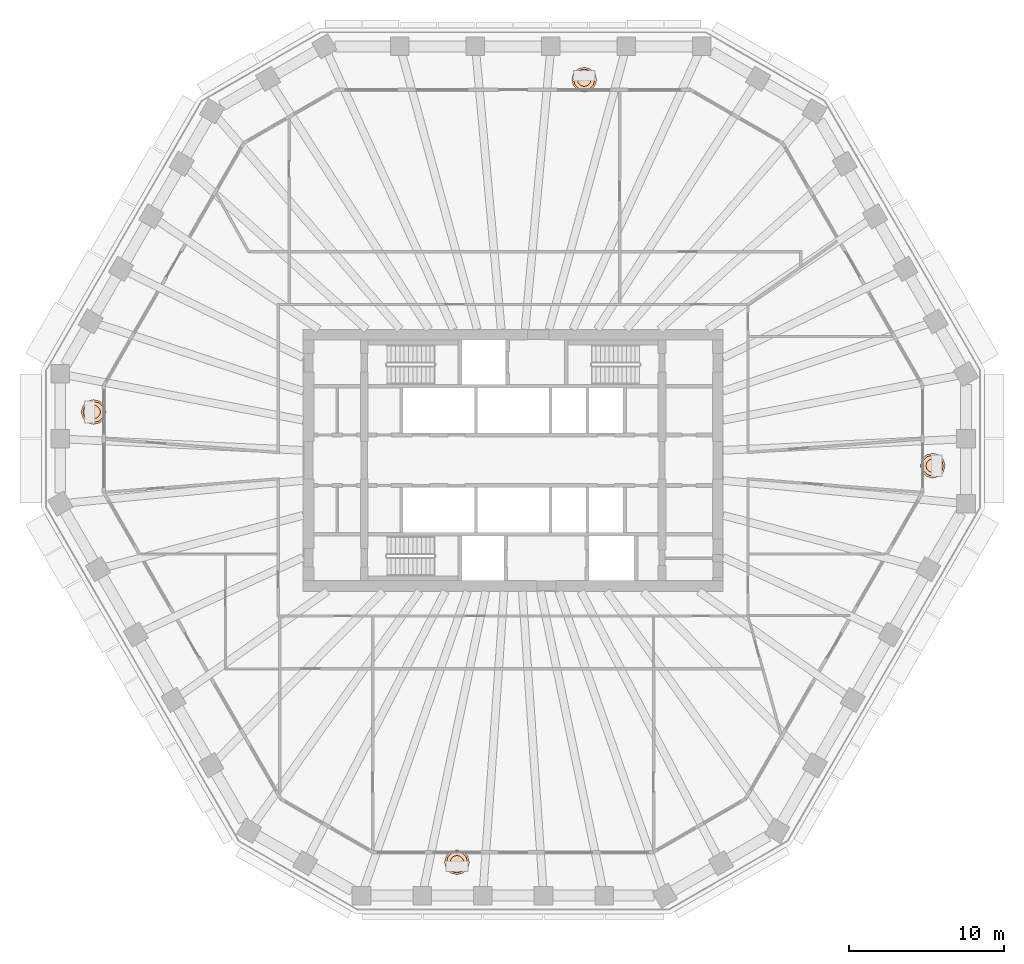
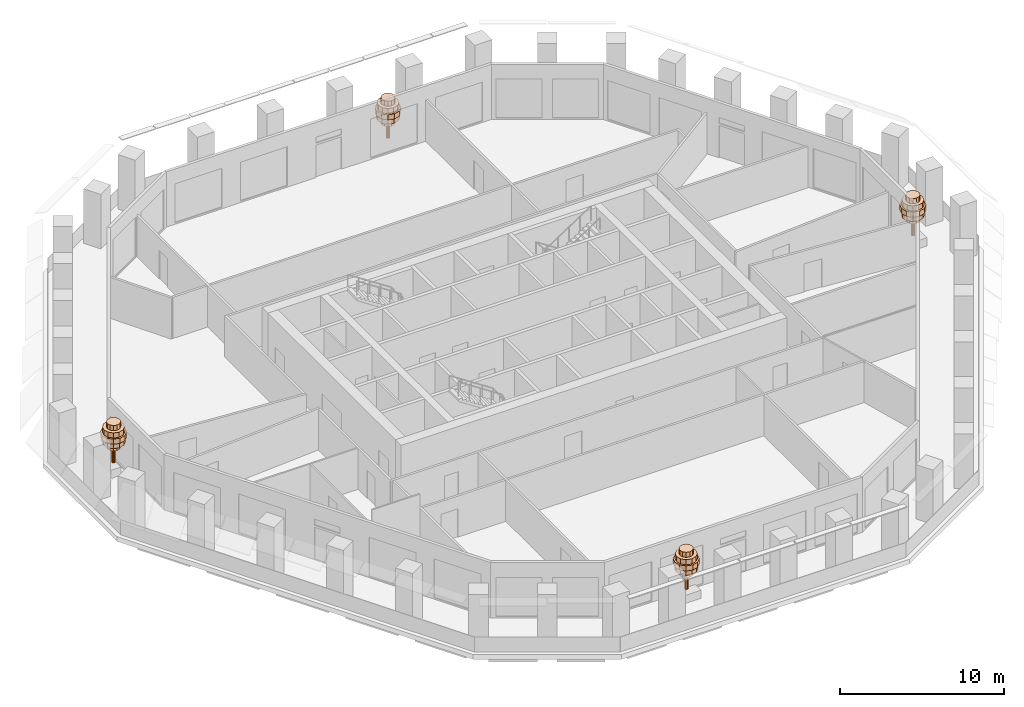
# One storey, part 12 of 12: 4 geographic elements.
"""IFC4 building model written with IfcOpenShell, lengths in metres."""

from ifc_helpers import new_model, si_unit, direction, frame, origin, place, context, subcontext, project, spatial, polyline, outline, extrude, material, type_object, element, save


model = new_model("IFC4")

# Units and contexts
model_context = context("Model", 3, precision=1e-05, world=origin(), true_north=direction((0.0, 1.0)))
body_context = subcontext(model_context, "Body", "Model", "MODEL_VIEW")
ifc_project = project(units=[si_unit("LENGTHUNIT", "METRE"), si_unit("AREAUNIT", "SQUARE_METRE"), si_unit("VOLUMEUNIT", "CUBIC_METRE"), si_unit("PLANEANGLEUNIT", "RADIAN"), si_unit("MASSUNIT", "GRAM", prefix="KILO")], contexts=[model_context])

# Site, building, storey
site_placement = place(None, origin())
site = spatial("IfcSite", under=ifc_project, at=site_placement, CompositionType="ELEMENT")
building_placement = place(site_placement, origin())
building = spatial("IfcBuilding", under=site, at=building_placement, Name="Frailejon Research Tower", CompositionType="ELEMENT")
storey_placement = place(building_placement, frame((0.0, 0.0, 193.60009765625)))
storey = spatial("IfcBuildingStorey", under=building, at=storey_placement, Name="L42", CompositionType="ELEMENT", Elevation=193.60009765625)

# Geographic elements
ifc_material = material(Name="Foliage, green")
geographic_element_type = type_object("IfcGeographicElementType", Name="Frailejon tree, loggia", PredefinedType="USERDEFINED", material=ifc_material)
geographic_element_1_placement = place(storey_placement, frame((27.06103515625, -0.349365234375, 0.599853515625)))
element("IfcGeographicElement", 1, at=geographic_element_1_placement, inside=storey, type_object=geographic_element_type, Name="Tree L42", ObjectType="TREE", PredefinedType="USERDEFINED", context=body_context, shape_type="SweptSolid", body=[
    extrude(outline(polyline([(0.1298828125, 0.0), (0.112548828125, 0.06494140625), (0.06494140625, 0.112548828125), (0.0, 0.1298828125), (-0.06494140625, 0.112548828125), (-0.112548828125, 0.06494140625), (-0.1298828125, 0.0), (-0.112548828125, -0.06494140625), (-0.06494140625, -0.112548828125), (0.0, -0.1298828125), (0.06494140625, -0.112548828125), (0.112548828125, -0.06494140625), (0.1298828125, 0.0)])), origin(), (0.0, 0.0, 1.0), 2.239990234375),
    extrude(outline(polyline([(0.43994140625, 0.0), (0.381103515625, 0.219970703125), (0.219970703125, 0.381103515625), (0.0, 0.43994140625), (-0.219970703125, 0.381103515625), (-0.381103515625, 0.219970703125), (-0.43994140625, 0.0), (-0.381103515625, -0.219970703125), (-0.219970703125, -0.381103515625), (0.0, -0.43994140625), (0.219970703125, -0.381103515625), (0.381103515625, -0.219970703125), (0.43994140625, 0.0)])), frame((0.0, 0.0, 1.10009765625)), (0.0, 0.0, 1.0), 0.3798828125),
    extrude(outline(polyline([(0.719970703125, 0.0), (0.62353515625, 0.360107421875), (0.360107421875, 0.62353515625), (0.0, 0.719970703125), (-0.360107421875, 0.62353515625), (-0.62353515625, 0.360107421875), (-0.719970703125, 0.0), (-0.62353515625, -0.360107421875), (-0.360107421875, -0.62353515625), (0.0, -0.719970703125), (0.360107421875, -0.62353515625), (0.62353515625, -0.360107421875), (0.719970703125, 0.0)])), frame((0.0, 0.0, 1.47998046875)), (0.0, 0.0, 1.0), 0.3798828125),
    extrude(outline(polyline([(0.800048828125, 0.0), (0.69287109375, 0.39990234375), (0.39990234375, 0.69287109375), (0.0, 0.800048828125), (-0.39990234375, 0.69287109375), (-0.69287109375, 0.39990234375), (-0.800048828125, 0.0), (-0.69287109375, -0.39990234375), (-0.39990234375, -0.69287109375), (0.0, -0.800048828125), (0.39990234375, -0.69287109375), (0.69287109375, -0.39990234375), (0.800048828125, 0.0)])), frame((0.0, 0.0, 1.860107421875)), (0.0, 0.0, 1.0), 0.3798828125),
    extrude(outline(polyline([(0.679931640625, 0.0), (0.5888671875, 0.340087890625), (0.340087890625, 0.5888671875), (0.0, 0.679931640625), (-0.340087890625, 0.5888671875), (-0.5888671875, 0.340087890625), (-0.679931640625, 0.0), (-0.5888671875, -0.340087890625), (-0.340087890625, -0.5888671875), (0.0, -0.679931640625), (0.340087890625, -0.5888671875), (0.5888671875, -0.340087890625), (0.679931640625, 0.0)])), frame((0.0, 0.0, 2.239990234375)), (0.0, 0.0, 1.0), 0.3798828125),
    extrude(outline(polyline([(0.43994140625, 0.0), (0.381103515625, 0.219970703125), (0.219970703125, 0.381103515625), (0.0, 0.43994140625), (-0.219970703125, 0.381103515625), (-0.381103515625, 0.219970703125), (-0.43994140625, 0.0), (-0.381103515625, -0.219970703125), (-0.219970703125, -0.381103515625), (0.0, -0.43994140625), (0.219970703125, -0.381103515625), (0.381103515625, -0.219970703125), (0.43994140625, 0.0)])), frame((0.0, 0.0, 2.6201171875)), (0.0, 0.0, 1.0), 0.3798828125),
])
geographic_element_2_placement = place(storey_placement, frame((4.581298828125, 24.550048828125, 0.599853515625)))
element("IfcGeographicElement", 2, at=geographic_element_2_placement, inside=storey, type_object=geographic_element_type, Name="Tree L42", ObjectType="TREE", PredefinedType="USERDEFINED", context=body_context, shape_type="SweptSolid", body=[
    extrude(outline(polyline([(0.1298828125, 0.0), (0.112548828125, 0.06494140625), (0.06494140625, 0.112548828125), (0.0, 0.1298828125), (-0.06494140625, 0.112548828125), (-0.112548828125, 0.06494140625), (-0.1298828125, 0.0), (-0.112548828125, -0.06494140625), (-0.06494140625, -0.112548828125), (0.0, -0.1298828125), (0.06494140625, -0.112548828125), (0.112548828125, -0.06494140625), (0.1298828125, 0.0)])), origin(), (0.0, 0.0, 1.0), 2.239990234375),
    extrude(outline(polyline([(0.43994140625, 0.0), (0.381103515625, 0.219970703125), (0.219970703125, 0.381103515625), (0.0, 0.43994140625), (-0.219970703125, 0.381103515625), (-0.381103515625, 0.219970703125), (-0.43994140625, 0.0), (-0.381103515625, -0.219970703125), (-0.219970703125, -0.381103515625), (0.0, -0.43994140625), (0.219970703125, -0.381103515625), (0.381103515625, -0.219970703125), (0.43994140625, 0.0)])), frame((0.0, 0.0, 1.10009765625)), (0.0, 0.0, 1.0), 0.3798828125),
    extrude(outline(polyline([(0.719970703125, 0.0), (0.62353515625, 0.360107421875), (0.360107421875, 0.62353515625), (0.0, 0.719970703125), (-0.360107421875, 0.62353515625), (-0.62353515625, 0.360107421875), (-0.719970703125, 0.0), (-0.62353515625, -0.360107421875), (-0.360107421875, -0.62353515625), (0.0, -0.719970703125), (0.360107421875, -0.62353515625), (0.62353515625, -0.360107421875), (0.719970703125, 0.0)])), frame((0.0, 0.0, 1.47998046875)), (0.0, 0.0, 1.0), 0.3798828125),
    extrude(outline(polyline([(0.800048828125, 0.0), (0.69287109375, 0.39990234375), (0.39990234375, 0.69287109375), (0.0, 0.800048828125), (-0.39990234375, 0.69287109375), (-0.69287109375, 0.39990234375), (-0.800048828125, 0.0), (-0.69287109375, -0.39990234375), (-0.39990234375, -0.69287109375), (0.0, -0.800048828125), (0.39990234375, -0.69287109375), (0.69287109375, -0.39990234375), (0.800048828125, 0.0)])), frame((0.0, 0.0, 1.860107421875)), (0.0, 0.0, 1.0), 0.3798828125),
    extrude(outline(polyline([(0.679931640625, 0.0), (0.5888671875, 0.340087890625), (0.340087890625, 0.5888671875), (0.0, 0.679931640625), (-0.340087890625, 0.5888671875), (-0.5888671875, 0.340087890625), (-0.679931640625, 0.0), (-0.5888671875, -0.340087890625), (-0.340087890625, -0.5888671875), (0.0, -0.679931640625), (0.340087890625, -0.5888671875), (0.5888671875, -0.340087890625), (0.679931640625, 0.0)])), frame((0.0, 0.0, 2.239990234375)), (0.0, 0.0, 1.0), 0.3798828125),
    extrude(outline(polyline([(0.43994140625, 0.0), (0.381103515625, 0.219970703125), (0.219970703125, 0.381103515625), (0.0, 0.43994140625), (-0.219970703125, 0.381103515625), (-0.381103515625, 0.219970703125), (-0.43994140625, 0.0), (-0.381103515625, -0.219970703125), (-0.219970703125, -0.381103515625), (0.0, -0.43994140625), (0.219970703125, -0.381103515625), (0.381103515625, -0.219970703125), (0.43994140625, 0.0)])), frame((0.0, 0.0, 2.6201171875)), (0.0, 0.0, 1.0), 0.3798828125),
])
geographic_element_3_placement = place(storey_placement, frame((-27.06103515625, 3.11474609375, 0.599853515625)))
element("IfcGeographicElement", 3, at=geographic_element_3_placement, inside=storey, type_object=geographic_element_type, Name="Tree L42", ObjectType="TREE", PredefinedType="USERDEFINED", context=body_context, shape_type="SweptSolid", body=[
    extrude(outline(polyline([(0.1298828125, 0.0), (0.112548828125, 0.06494140625), (0.06494140625, 0.112548828125), (0.0, 0.1298828125), (-0.06494140625, 0.112548828125), (-0.112548828125, 0.06494140625), (-0.1298828125, 0.0), (-0.112548828125, -0.06494140625), (-0.06494140625, -0.112548828125), (0.0, -0.1298828125), (0.06494140625, -0.112548828125), (0.112548828125, -0.06494140625), (0.1298828125, 0.0)])), origin(), (0.0, 0.0, 1.0), 2.239990234375),
    extrude(outline(polyline([(0.43994140625, 0.0), (0.381103515625, 0.219970703125), (0.219970703125, 0.381103515625), (0.0, 0.43994140625), (-0.219970703125, 0.381103515625), (-0.381103515625, 0.219970703125), (-0.43994140625, 0.0), (-0.381103515625, -0.219970703125), (-0.219970703125, -0.381103515625), (0.0, -0.43994140625), (0.219970703125, -0.381103515625), (0.381103515625, -0.219970703125), (0.43994140625, 0.0)])), frame((0.0, 0.0, 1.10009765625)), (0.0, 0.0, 1.0), 0.3798828125),
    extrude(outline(polyline([(0.719970703125, 0.0), (0.62353515625, 0.360107421875), (0.360107421875, 0.62353515625), (0.0, 0.719970703125), (-0.360107421875, 0.62353515625), (-0.62353515625, 0.360107421875), (-0.719970703125, 0.0), (-0.62353515625, -0.360107421875), (-0.360107421875, -0.62353515625), (0.0, -0.719970703125), (0.360107421875, -0.62353515625), (0.62353515625, -0.360107421875), (0.719970703125, 0.0)])), frame((0.0, 0.0, 1.47998046875)), (0.0, 0.0, 1.0), 0.3798828125),
    extrude(outline(polyline([(0.800048828125, 0.0), (0.69287109375, 0.39990234375), (0.39990234375, 0.69287109375), (0.0, 0.800048828125), (-0.39990234375, 0.69287109375), (-0.69287109375, 0.39990234375), (-0.800048828125, 0.0), (-0.69287109375, -0.39990234375), (-0.39990234375, -0.69287109375), (0.0, -0.800048828125), (0.39990234375, -0.69287109375), (0.69287109375, -0.39990234375), (0.800048828125, 0.0)])), frame((0.0, 0.0, 1.860107421875)), (0.0, 0.0, 1.0), 0.3798828125),
    extrude(outline(polyline([(0.679931640625, 0.0), (0.5888671875, 0.340087890625), (0.340087890625, 0.5888671875), (0.0, 0.679931640625), (-0.340087890625, 0.5888671875), (-0.5888671875, 0.340087890625), (-0.679931640625, 0.0), (-0.5888671875, -0.340087890625), (-0.340087890625, -0.5888671875), (0.0, -0.679931640625), (0.340087890625, -0.5888671875), (0.5888671875, -0.340087890625), (0.679931640625, 0.0)])), frame((0.0, 0.0, 2.239990234375)), (0.0, 0.0, 1.0), 0.3798828125),
    extrude(outline(polyline([(0.43994140625, 0.0), (0.381103515625, 0.219970703125), (0.219970703125, 0.381103515625), (0.0, 0.43994140625), (-0.219970703125, 0.381103515625), (-0.381103515625, 0.219970703125), (-0.43994140625, 0.0), (-0.381103515625, -0.219970703125), (-0.219970703125, -0.381103515625), (0.0, -0.43994140625), (0.219970703125, -0.381103515625), (0.381103515625, -0.219970703125), (0.43994140625, 0.0)])), frame((0.0, 0.0, 2.6201171875)), (0.0, 0.0, 1.0), 0.3798828125),
])
geographic_element_4_placement = place(storey_placement, frame((-3.623291015625, -25.932861328125, 0.599853515625)))
element("IfcGeographicElement", 4, at=geographic_element_4_placement, inside=storey, type_object=geographic_element_type, Name="Tree L42", ObjectType="TREE", PredefinedType="USERDEFINED", context=body_context, shape_type="SweptSolid", body=[
    extrude(outline(polyline([(0.1298828125, 0.0), (0.112548828125, 0.06494140625), (0.06494140625, 0.112548828125), (0.0, 0.1298828125), (-0.06494140625, 0.112548828125), (-0.112548828125, 0.06494140625), (-0.1298828125, 0.0), (-0.112548828125, -0.06494140625), (-0.06494140625, -0.112548828125), (0.0, -0.1298828125), (0.06494140625, -0.112548828125), (0.112548828125, -0.06494140625), (0.1298828125, 0.0)])), origin(), (0.0, 0.0, 1.0), 2.239990234375),
    extrude(outline(polyline([(0.43994140625, 0.0), (0.381103515625, 0.219970703125), (0.219970703125, 0.381103515625), (0.0, 0.43994140625), (-0.219970703125, 0.381103515625), (-0.381103515625, 0.219970703125), (-0.43994140625, 0.0), (-0.381103515625, -0.219970703125), (-0.219970703125, -0.381103515625), (0.0, -0.43994140625), (0.219970703125, -0.381103515625), (0.381103515625, -0.219970703125), (0.43994140625, 0.0)])), frame((0.0, 0.0, 1.10009765625)), (0.0, 0.0, 1.0), 0.3798828125),
    extrude(outline(polyline([(0.719970703125, 0.0), (0.62353515625, 0.360107421875), (0.360107421875, 0.62353515625), (0.0, 0.719970703125), (-0.360107421875, 0.62353515625), (-0.62353515625, 0.360107421875), (-0.719970703125, 0.0), (-0.62353515625, -0.360107421875), (-0.360107421875, -0.62353515625), (0.0, -0.719970703125), (0.360107421875, -0.62353515625), (0.62353515625, -0.360107421875), (0.719970703125, 0.0)])), frame((0.0, 0.0, 1.47998046875)), (0.0, 0.0, 1.0), 0.3798828125),
    extrude(outline(polyline([(0.800048828125, 0.0), (0.69287109375, 0.39990234375), (0.39990234375, 0.69287109375), (0.0, 0.800048828125), (-0.39990234375, 0.69287109375), (-0.69287109375, 0.39990234375), (-0.800048828125, 0.0), (-0.69287109375, -0.39990234375), (-0.39990234375, -0.69287109375), (0.0, -0.800048828125), (0.39990234375, -0.69287109375), (0.69287109375, -0.39990234375), (0.800048828125, 0.0)])), frame((0.0, 0.0, 1.860107421875)), (0.0, 0.0, 1.0), 0.3798828125),
    extrude(outline(polyline([(0.679931640625, 0.0), (0.5888671875, 0.340087890625), (0.340087890625, 0.5888671875), (0.0, 0.679931640625), (-0.340087890625, 0.5888671875), (-0.5888671875, 0.340087890625), (-0.679931640625, 0.0), (-0.5888671875, -0.340087890625), (-0.340087890625, -0.5888671875), (0.0, -0.679931640625), (0.340087890625, -0.5888671875), (0.5888671875, -0.340087890625), (0.679931640625, 0.0)])), frame((0.0, 0.0, 2.239990234375)), (0.0, 0.0, 1.0), 0.3798828125),
    extrude(outline(polyline([(0.43994140625, 0.0), (0.381103515625, 0.219970703125), (0.219970703125, 0.381103515625), (0.0, 0.43994140625), (-0.219970703125, 0.381103515625), (-0.381103515625, 0.219970703125), (-0.43994140625, 0.0), (-0.381103515625, -0.219970703125), (-0.219970703125, -0.381103515625), (0.0, -0.43994140625), (0.219970703125, -0.381103515625), (0.381103515625, -0.219970703125), (0.43994140625, 0.0)])), frame((0.0, 0.0, 2.6201171875)), (0.0, 0.0, 1.0), 0.3798828125),
])

save(model, "model.ifc")
